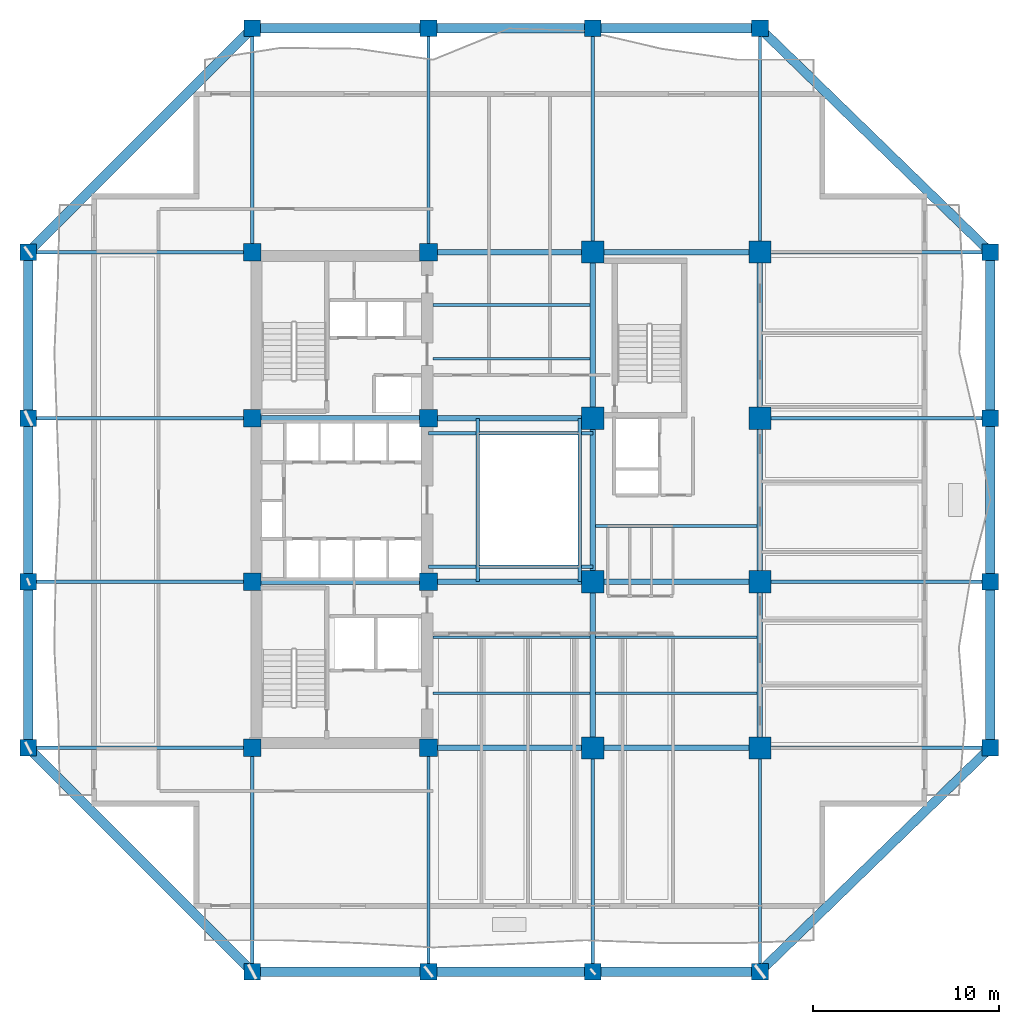
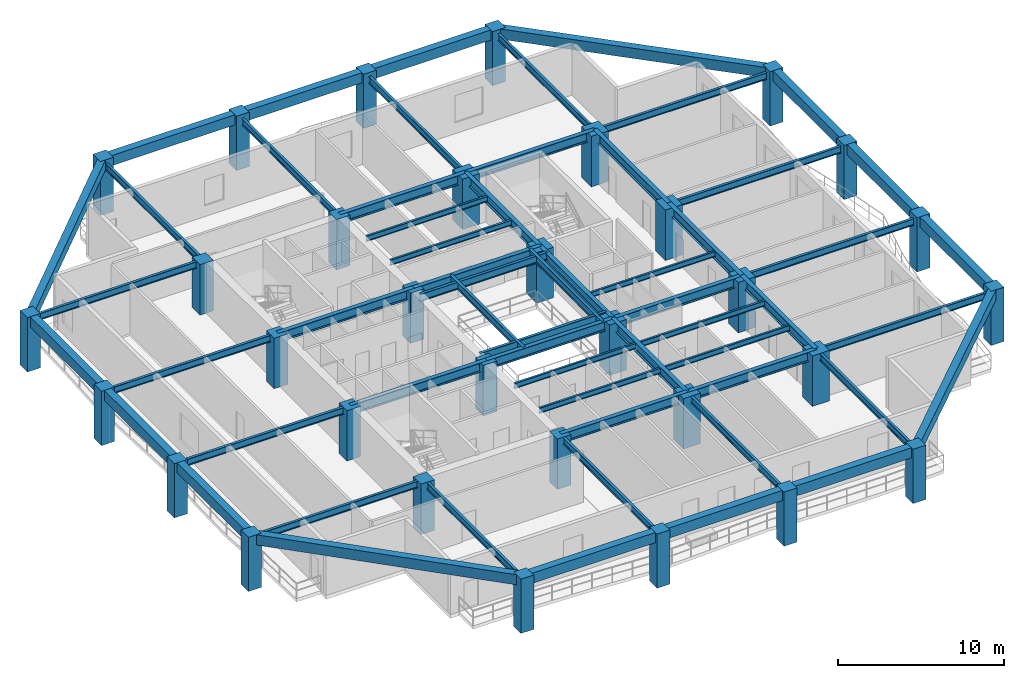
# One storey, part 1 of 13: 58 beams, 32 columns.
"""IFC4 building model written with IfcOpenShell, lengths in metres."""

import ifcopenshell
import ifcopenshell.guid

model = None  # the IFC model being written
_history = None  # IfcOwnerHistory: only IFC2X3 demands one
_inside = {}  # id of a spatial element -> (the spatial element, [elements in it])
_under = {}  # id of a project, library or spatial element -> (it, [spatial elements below it])
_declared = {}  # id of a project -> (the project, [libraries it declares])
_typed = {}  # id of a type object -> (the type object, [elements of that type])
_made_of = {}  # id of a material, layer set ... -> (it, [elements and type objects made of it])


def new_model(schema):
    """Start an empty IFC model of exactly this schema.

    Asked for "IFC4X3", IfcOpenShell would pick the latest addendum, in which some entities
    have other attributes; the version numbers below select the first issue.
    IFC2X3 requires an IfcOwnerHistory on every rooted entity: one is made here for all.
    """
    global model, _history
    if schema == "IFC4X3":
        model = ifcopenshell.file(schema_version=(4, 3, 0, 0))
    else:
        model = ifcopenshell.file(schema=schema)
    _inside.clear()
    _under.clear()
    _declared.clear()
    _typed.clear()
    _made_of.clear()
    _history = None
    if model.schema == "IFC2X3":
        org = make("IfcOrganization", Name="unknown")
        user = make(
            "IfcPersonAndOrganization",
            ThePerson=make("IfcPerson", FamilyName="unknown"),
            TheOrganization=org,
        )
        app = make(
            "IfcApplication",
            ApplicationDeveloper=org,
            Version="unknown",
            ApplicationFullName="unknown",
            ApplicationIdentifier="unknown",
        )
        _history = make(
            "IfcOwnerHistory",
            OwningUser=user,
            OwningApplication=app,
            ChangeAction="ADDED",
            CreationDate=0,
        )
    return model


def make(cls, **values):
    """One entity of the class cls with the attributes given. An attribute that is None is left unset."""
    return model.create_entity(
        cls, **{name: value for name, value in values.items() if value is not None}
    )


def rooted(cls, **values):
    """An entity with a GlobalId (a new one), such as an element, a storey or a relation."""
    return make(cls, GlobalId=ifcopenshell.guid.new(), OwnerHistory=_history, **values)


def si_unit(unit_type, name, prefix=None):
    """IfcSIUnit, for example si_unit("LENGTHUNIT", "METRE", prefix="MILLI")."""
    return make("IfcSIUnit", UnitType=unit_type, Prefix=prefix, Name=name)


def assignment(units):
    """IfcUnitAssignment: the units of a project."""
    return None if units is None else make("IfcUnitAssignment", Units=units)


def point(xyz):
    """IfcCartesianPoint."""
    return None if xyz is None else make("IfcCartesianPoint", Coordinates=xyz)


def direction(xyz):
    """IfcDirection."""
    return None if xyz is None else make("IfcDirection", DirectionRatios=xyz)


def frame(location, z_axis=None, x_axis=None):
    """IfcAxis2Placement3D, a coordinate frame: its origin and axes. An axis left out is left unset."""
    return make(
        "IfcAxis2Placement3D",
        Location=point(location),
        Axis=direction(z_axis),
        RefDirection=direction(x_axis),
    )


def frame_2d(location, x_axis=None):
    """IfcAxis2Placement2D, a coordinate frame in the plane: its origin and x axis."""
    return make(
        "IfcAxis2Placement2D", Location=point(location), RefDirection=direction(x_axis)
    )


def origin():
    """The frame at (0, 0, 0) with its axes left unset."""
    return frame((0.0, 0.0, 0.0))


def origin_2d():
    """The frame at (0, 0) in the plane with its x axis left unset."""
    return frame_2d((0.0, 0.0))


def place(relative_to, where):
    """IfcLocalPlacement: puts the frame where relative to a parent placement (None: the world)."""
    return make(
        "IfcLocalPlacement", PlacementRelTo=relative_to, RelativePlacement=where
    )


def context(
    kind, dimensions, precision=None, world=None, true_north=None, identifier=None
):
    """IfcGeometricRepresentationContext, for example the 3D "Model" context."""
    return make(
        "IfcGeometricRepresentationContext",
        ContextIdentifier=identifier,
        ContextType=kind,
        CoordinateSpaceDimension=dimensions,
        Precision=precision,
        WorldCoordinateSystem=world,
        TrueNorth=true_north,
    )


def subcontext(parent, identifier, kind, view, scale=None):
    """IfcGeometricRepresentationSubContext, for example "Body" below "Model"."""
    return make(
        "IfcGeometricRepresentationSubContext",
        ContextIdentifier=identifier,
        ContextType=kind,
        ParentContext=parent,
        TargetScale=scale,
        TargetView=view,
    )


def project(units=None, contexts=None):
    """IfcProject with its units and contexts."""
    return rooted(
        "IfcProject",
        Name="project",
        RepresentationContexts=contexts,
        UnitsInContext=assignment(units),
    )


def spatial(cls, under=None, at=None, **own):
    """A site, building, storey or space (cls), placed at a placement, below another one or the project."""
    s = rooted(cls, ObjectPlacement=at, **own)
    if under is not None:
        _under.setdefault(under.id(), (under, []))[1].append(s)
    return s


def profile(cls, at=None, kind="AREA", **sizes):
    """A parametric profile (cls). Its sizes go by their IFC names, for example OverallWidth=200.0."""
    return make(cls, ProfileType=kind, Position=at, **sizes)


def rectangle(**sizes):
    """IfcRectangleProfileDef."""
    return profile("IfcRectangleProfileDef", **sizes)


def i_section(**sizes):
    """IfcIShapeProfileDef."""
    return profile("IfcIShapeProfileDef", **sizes)


def extrude(swept, where, along, depth):
    """IfcExtrudedAreaSolid: the profile swept, set in the frame where, extruded along a direction by depth."""
    return make(
        "IfcExtrudedAreaSolid",
        SweptArea=swept,
        Position=where,
        ExtrudedDirection=direction(along),
        Depth=depth,
    )


def shape(context_of_items, identifier, shape_type, items):
    """IfcShapeRepresentation: the items that make up one representation, for example the "Body"."""
    return make(
        "IfcShapeRepresentation",
        ContextOfItems=context_of_items,
        RepresentationIdentifier=identifier,
        RepresentationType=shape_type,
        Items=items,
    )


def material(Name=None, Category=None):
    """IfcMaterial."""
    return make("IfcMaterial", Name=Name, Category=Category)


def material_profile(
    of_material, cross_section, Name=None, Category=None, Priority=None
):
    """IfcMaterialProfile: a cross section and its material."""
    return make(
        "IfcMaterialProfile",
        Name=Name,
        Material=of_material,
        Profile=cross_section,
        Priority=Priority,
        Category=Category,
    )


def profile_set(profiles, Name=None, composite=None):
    """IfcMaterialProfileSet."""
    return make(
        "IfcMaterialProfileSet",
        Name=Name,
        MaterialProfiles=profiles,
        CompositeProfile=composite,
    )


def made_of(thing, what):
    """Note that an element or type object is made of a material, layer set ...; save() writes the relation."""
    if what is not None:
        _made_of.setdefault(what.id(), (what, []))[1].append(thing)
    return thing


def type_object(cls, material=None, **own):
    """A type object (cls), such as IfcWallType, which elements share."""
    return made_of(rooted(cls, **own), material)


def element(
    cls,
    number,
    at=None,
    inside=None,
    cuts=None,
    type_object=None,
    material=None,
    context=None,
    identifier="Body",
    shape_type=None,
    held_by="IfcProductDefinitionShape",
    body=None,
    shapes=None,
    **own,
):
    """One element of the class cls, such as IfcWall. Its Tag is "e" and its number.

    at: its placement. inside: the storey or other place that contains it. cuts: it is an
    opening in that element (IfcRelVoidsElement). A single representation is given by context,
    identifier, shape_type and body (its items); several are given by shapes. held_by: the class
    of the entity that holds the representations. save() writes the other relations.
    """
    e = rooted(cls, Tag="e%d" % number, ObjectPlacement=at, **own)
    if body is not None:
        shapes = [shape(context, identifier, shape_type, body)]
    if shapes is not None:
        e.Representation = make(held_by, Representations=shapes)
    if inside is not None:
        _inside.setdefault(inside.id(), (inside, []))[1].append(e)
    if cuts is not None:
        rooted(
            "IfcRelVoidsElement", RelatingBuildingElement=cuts, RelatedOpeningElement=e
        )
    if type_object is not None:
        _typed.setdefault(type_object.id(), (type_object, []))[1].append(e)
    return made_of(e, material)


def aggregate(whole, parts):
    """IfcRelAggregates: a whole, such as a stair, and the parts it consists of."""
    return rooted("IfcRelAggregates", RelatingObject=whole, RelatedObjects=parts)


def save(model, path):
    """Write the relations noted so far, then the file.

    IfcRelAggregates (storeys below a building ...), IfcRelContainedInSpatialStructure (elements
    in a storey), IfcRelDefinesByType, IfcRelAssociatesMaterial and IfcRelDeclares: one each for
    every whole, place, type object, material and project.
    """
    for whole, parts in _under.values():
        aggregate(whole, parts)
    for where, things in _inside.values():
        rooted(
            "IfcRelContainedInSpatialStructure",
            RelatedElements=things,
            RelatingStructure=where,
        )
    for kind, things in _typed.values():
        rooted("IfcRelDefinesByType", RelatedObjects=things, RelatingType=kind)
    for what, things in _made_of.values():
        rooted("IfcRelAssociatesMaterial", RelatedObjects=things, RelatingMaterial=what)
    for by, libraries in _declared.values():
        rooted("IfcRelDeclares", RelatingContext=by, RelatedDefinitions=libraries)
    model.write(path)


model = new_model("IFC4")

# Units and contexts
model_context = context("Model", 3, precision=1e-05, world=origin(), true_north=direction((0.0, 1.0)))
body_context = subcontext(model_context, "Body", "Model", "MODEL_VIEW")
ifc_project = project(units=[si_unit("LENGTHUNIT", "METRE"), si_unit("AREAUNIT", "SQUARE_METRE"), si_unit("VOLUMEUNIT", "CUBIC_METRE"), si_unit("PLANEANGLEUNIT", "RADIAN"), si_unit("MASSUNIT", "GRAM", prefix="KILO")], contexts=[model_context])

# Site, building, storey
site_placement = place(None, origin())
site = spatial("IfcSite", under=ifc_project, at=site_placement, CompositionType="ELEMENT")
building_placement = place(site_placement, origin())
building = spatial("IfcBuilding", under=site, at=building_placement, Name="Kundavana Baori Tower", CompositionType="ELEMENT")
storey_placement = place(building_placement, frame((0.0, 0.0, 62.0)))
storey = spatial("IfcBuildingStorey", under=building, at=storey_placement, Name="L14", CompositionType="ELEMENT", Elevation=62.0)

# Columns
ifc_material_1 = material(Name="Concrete C60/75", Category="concrete")
ifc_material_profile_1 = material_profile(ifc_material_1, rectangle(XDim=0.89990234375, YDim=0.89990234375, at=origin_2d()), Name="RC PF 900x900")
ifc_profile_set_1 = profile_set([ifc_material_profile_1], Name="Concrete C60/75")
column_type_1 = type_object("IfcColumnType", Name="COL-PF-900", PredefinedType="COLUMN", material=ifc_profile_set_1)
for number, where, z_axis, x_axis, name in (
    (1, (15.449951171875, 3.199951171875, 0.0), (0.0, 0.0, 1.0), (1.0, 0.0, 0.0), "L14 Stone-Clad Perimeter Frame Column PF-S1"),
    (2, (15.449951171875, 54.0, 0.0), (0.0, 0.0, 1.0), (1.0, 0.0, 0.0), "L14 Stone-Clad Perimeter Frame Column PF-N1"),
    (3, (24.949951171875, 3.199951171875, 0.0), (0.0, 0.0, 1.0), (1.0, 0.0, 0.0), "L14 Stone-Clad Perimeter Frame Column PF-S2"),
    (4, (24.949951171875, 54.0, 0.0), (0.0, 0.0, 1.0), (1.0, 0.0, 0.0), "L14 Stone-Clad Perimeter Frame Column PF-N2"),
    (5, (33.800048828125, 3.199951171875, 0.0), (0.0, 0.0, 1.0), (1.0, 0.0, 0.0), "L14 Stone-Clad Perimeter Frame Column PF-S3"),
    (6, (33.800048828125, 54.0, 0.0), (0.0, 0.0, 1.0), (1.0, 0.0, 0.0), "L14 Stone-Clad Perimeter Frame Column PF-N3"),
    (7, (42.800048828125, 3.199951171875, 0.0), (0.0, 0.0, 1.0), (1.0, 0.0, 0.0), "L14 Stone-Clad Perimeter Frame Column PF-S4"),
    (8, (42.800048828125, 54.0, 0.0), (0.0, 0.0, 1.0), (1.0, 0.0, 0.0), "L14 Stone-Clad Perimeter Frame Column PF-N4"),
    (9, (3.39990234375, 15.25, 0.0), (0.0, 0.0, 1.0), (1.0, 0.0, 0.0), "L14 Stone-Clad Perimeter Frame Column PF-W1"),
    (10, (55.199951171875, 15.25, 0.0), (0.0, 0.0, 1.0), (1.0, 0.0, 0.0), "L14 Stone-Clad Perimeter Frame Column PF-E1"),
    (11, (3.39990234375, 24.199951171875, 0.0), (0.0, 0.0, 1.0), (1.0, 0.0, 0.0), "L14 Stone-Clad Perimeter Frame Column PF-W2"),
    (12, (55.199951171875, 24.199951171875, 0.0), (0.0, 0.0, 1.0), (1.0, 0.0, 0.0), "L14 Stone-Clad Perimeter Frame Column PF-E2"),
    (13, (3.39990234375, 33.0, 0.0), (0.0, 0.0, 1.0), (1.0, 0.0, 0.0), "L14 Stone-Clad Perimeter Frame Column PF-W3"),
    (14, (55.199951171875, 33.0, 0.0), (0.0, 0.0, 1.0), (1.0, 0.0, 0.0), "L14 Stone-Clad Perimeter Frame Column PF-E3"),
    (15, (3.39990234375, 41.949951171875, 0.0), (0.0, 0.0, 1.0), (1.0, 0.0, 0.0), "L14 Stone-Clad Perimeter Frame Column PF-W4"),
    (16, (55.199951171875, 41.949951171875, 0.0), (0.0, 0.0, 1.0), (1.0, 0.0, 0.0), "L14 Stone-Clad Perimeter Frame Column PF-E4"),
):
    element("IfcColumn", number, at=place(storey_placement, frame(where, z_axis=z_axis, x_axis=x_axis)), inside=storey, type_object=column_type_1, Name=name, PredefinedType="COLUMN", context=body_context, shape_type="SweptSolid", body=[
        extrude(rectangle(XDim=0.89990234375, YDim=0.89990234375, at=origin_2d()), origin(), (0.0, 0.0, 1.0), 4.0),
    ])
ifc_material_2 = material(Name="Concrete C60/75", Category="concrete")
ifc_material_profile_2 = material_profile(ifc_material_2, rectangle(XDim=1.199951171875, YDim=1.199951171875, at=origin_2d()), Name="RC 1200x1200")
ifc_profile_set_2 = profile_set([ifc_material_profile_2], Name="Concrete C60/75")
column_type_2 = type_object("IfcColumnType", Name="COL-RC-1200", PredefinedType="COLUMN", material=ifc_profile_set_2)
for number, where, z_axis, x_axis, name in (
    (17, (33.800048828125, 15.25, 0.0), (0.0, 0.0, 1.0), (1.0, 0.0, 0.0), "L14 Interior Column IC-5C"),
    (18, (33.800048828125, 24.199951171875, 0.0), (0.0, 0.0, 1.0), (1.0, 0.0, 0.0), "L14 Interior Column IC-5D"),
    (19, (33.800048828125, 33.0, 0.0), (0.0, 0.0, 1.0), (1.0, 0.0, 0.0), "L14 Interior Column IC-5E"),
    (20, (33.800048828125, 41.949951171875, 0.0), (0.0, 0.0, 1.0), (1.0, 0.0, 0.0), "L14 Interior Column IC-5F"),
    (21, (42.800048828125, 15.25, 0.0), (0.0, 0.0, 1.0), (1.0, 0.0, 0.0), "L14 Interior Column IC-6C"),
    (22, (42.800048828125, 24.199951171875, 0.0), (0.0, 0.0, 1.0), (1.0, 0.0, 0.0), "L14 Interior Column IC-6D"),
    (23, (42.800048828125, 33.0, 0.0), (0.0, 0.0, 1.0), (1.0, 0.0, 0.0), "L14 Interior Column IC-6E"),
    (24, (42.800048828125, 41.949951171875, 0.0), (0.0, 0.0, 1.0), (1.0, 0.0, 0.0), "L14 Interior Column IC-6F"),
):
    element("IfcColumn", number, at=place(storey_placement, frame(where, z_axis=z_axis, x_axis=x_axis)), inside=storey, type_object=column_type_2, Name=name, PredefinedType="COLUMN", context=body_context, shape_type="SweptSolid", body=[
        extrude(rectangle(XDim=1.199951171875, YDim=1.199951171875, at=origin_2d()), origin(), (0.0, 0.0, 1.0), 3.719970703125),
    ])
ifc_material_3 = material(Name="Concrete C50/60", Category="concrete")
ifc_material_profile_3 = material_profile(ifc_material_3, rectangle(XDim=0.949951171875, YDim=0.949951171875, at=origin_2d()), Name="RC 950x950")
ifc_profile_set_3 = profile_set([ifc_material_profile_3], Name="Concrete C50/60")
column_type_3 = type_object("IfcColumnType", Name="COL-RC-950", PredefinedType="COLUMN", material=ifc_profile_set_3)
for number, where, z_axis, x_axis, name in (
    (25, (15.449951171875, 15.25, 0.0), (0.0, 0.0, 1.0), (1.0, 0.0, 0.0), "L14 Interior Column IC-3C"),
    (26, (15.449951171875, 24.199951171875, 0.0), (0.0, 0.0, 1.0), (1.0, 0.0, 0.0), "L14 Interior Column IC-3D"),
    (27, (15.449951171875, 33.0, 0.0), (0.0, 0.0, 1.0), (1.0, 0.0, 0.0), "L14 Interior Column IC-3E"),
    (28, (15.449951171875, 41.949951171875, 0.0), (0.0, 0.0, 1.0), (1.0, 0.0, 0.0), "L14 Interior Column IC-3F"),
    (29, (24.949951171875, 15.25, 0.0), (0.0, 0.0, 1.0), (1.0, 0.0, 0.0), "L14 Interior Column IC-4C"),
    (30, (24.949951171875, 24.199951171875, 0.0), (0.0, 0.0, 1.0), (1.0, 0.0, 0.0), "L14 Interior Column IC-4D"),
    (31, (24.949951171875, 33.0, 0.0), (0.0, 0.0, 1.0), (1.0, 0.0, 0.0), "L14 Interior Column IC-4E"),
    (32, (24.949951171875, 41.949951171875, 0.0), (0.0, 0.0, 1.0), (1.0, 0.0, 0.0), "L14 Interior Column IC-4F"),
):
    element("IfcColumn", number, at=place(storey_placement, frame(where, z_axis=z_axis, x_axis=x_axis)), inside=storey, type_object=column_type_3, Name=name, PredefinedType="COLUMN", context=body_context, shape_type="SweptSolid", body=[
        extrude(rectangle(XDim=0.949951171875, YDim=0.949951171875, at=origin_2d()), origin(), (0.0, 0.0, 1.0), 3.719970703125),
    ])

# Beams
ifc_material_4 = material(Name="Structural Steel S355JR", Category="steel")
ifc_material_profile_4 = material_profile(ifc_material_4, i_section(OverallWidth=0.139892578125, OverallDepth=0.39990234375, WebThickness=0.0087890625, FlangeThickness=0.01611328125, FilletRadius=0.013916015625, at=origin_2d()), Name="ISMB 400")
ifc_profile_set_4 = profile_set([ifc_material_profile_4], Name="Structural Steel S355JR")
beam_type_1 = type_object("IfcBeamType", Name="BM-JST-400", PredefinedType="JOIST", material=ifc_profile_set_4)
for number, where, z_axis, x_axis, name in (
    (33, (25.179931640625, 18.199951171875, 3.52001953125), (1.0, 0.0, 0.0), (0.0, 1.0, 0.0), "L14 Central Bay Composite Floor Joist C1"),
    (34, (25.179931640625, 21.199951171875, 3.52001953125), (1.0, 0.0, 0.0), (0.0, 1.0, 0.0), "L14 Central Bay Composite Floor Joist C2"),
    (35, (25.179931640625, 36.199951171875, 3.52001953125), (1.0, 0.0, 0.0), (0.0, 1.0, 0.0), "L14 Central Bay Composite Floor Joist C3"),
    (36, (25.179931640625, 39.10009765625, 3.52001953125), (1.0, 0.0, 0.0), (0.0, 1.0, 0.0), "L14 Central Bay Composite Floor Joist C4"),
):
    element("IfcBeam", number, at=place(storey_placement, frame(where, z_axis=z_axis, x_axis=x_axis)), inside=storey, type_object=beam_type_1, Name=name, PredefinedType="JOIST", context=body_context, shape_type="SweptSolid", body=[
        extrude(i_section(OverallWidth=0.139892578125, OverallDepth=0.39990234375, WebThickness=0.0087890625, FlangeThickness=0.01611328125, FilletRadius=0.013916015625, at=origin_2d()), origin(), (0.0, 0.0, 1.0), 8.469970703125),
    ])
for number, where, z_axis, x_axis, name in (
    (37, (33.949951171875, 18.199951171875, 3.52001953125), (1.0, 0.0, 0.0), (0.0, 1.0, 0.0), "L14 East Bay Composite Floor Joist E1"),
    (38, (33.949951171875, 21.199951171875, 3.52001953125), (1.0, 0.0, 0.0), (0.0, 1.0, 0.0), "L14 East Bay Composite Floor Joist E2"),
    (39, (33.949951171875, 27.199951171875, 3.52001953125), (1.0, 0.0, 0.0), (0.0, 1.0, 0.0), "L14 East Bay Composite Floor Joist E3"),
):
    element("IfcBeam", number, at=place(storey_placement, frame(where, z_axis=z_axis, x_axis=x_axis)), inside=storey, type_object=beam_type_1, Name=name, PredefinedType="JOIST", context=body_context, shape_type="SweptSolid", body=[
        extrude(i_section(OverallWidth=0.139892578125, OverallDepth=0.39990234375, WebThickness=0.0087890625, FlangeThickness=0.01611328125, FilletRadius=0.013916015625, at=origin_2d()), origin(), (0.0, 0.0, 1.0), 8.699951171875),
    ])
ifc_material_5 = material(Name="Concrete C50/60", Category="concrete")
ifc_material_profile_5 = material_profile(ifc_material_5, rectangle(XDim=0.5, YDim=0.75, at=origin_2d()), Name="RC BM 500x750")
ifc_profile_set_5 = profile_set([ifc_material_profile_5], Name="Concrete C50/60")
beam_type_2 = type_object("IfcBeamType", Name="BM-PF-750", PredefinedType="SPANDREL", material=ifc_profile_set_5)
beam_1_placement = place(storey_placement, frame((15.449951171875, 3.199951171875, 3.625), z_axis=(1.0, 0.0, 0.0), x_axis=(0.0, 1.0, 0.0)))
element("IfcBeam", 40, at=beam_1_placement, inside=storey, type_object=beam_type_2, Name="L14 Perimeter Frame Ring Beam S1", PredefinedType="SPANDREL", context=body_context, shape_type="SweptSolid", body=[
    extrude(rectangle(XDim=0.5, YDim=0.75, at=origin_2d()), origin(), (0.0, 0.0, 1.0), 9.5),
])
beam_2_placement = place(storey_placement, frame((24.949951171875, 3.199951171875, 3.625), z_axis=(1.0, 0.0, 0.0), x_axis=(0.0, 1.0, 0.0)))
element("IfcBeam", 41, at=beam_2_placement, inside=storey, type_object=beam_type_2, Name="L14 Perimeter Frame Ring Beam S2", PredefinedType="SPANDREL", context=body_context, shape_type="SweptSolid", body=[
    extrude(rectangle(XDim=0.5, YDim=0.75, at=origin_2d()), origin(), (0.0, 0.0, 1.0), 8.85009765625),
])
beam_3_placement = place(storey_placement, frame((33.800048828125, 3.199951171875, 3.625), z_axis=(1.0, 0.0, 0.0), x_axis=(0.0, 1.0, 0.0)))
element("IfcBeam", 42, at=beam_3_placement, inside=storey, type_object=beam_type_2, Name="L14 Perimeter Frame Ring Beam S3", PredefinedType="SPANDREL", context=body_context, shape_type="SweptSolid", body=[
    extrude(rectangle(XDim=0.5, YDim=0.75, at=origin_2d()), origin(), (0.0, 0.0, 1.0), 9.0),
])
beam_4_placement = place(storey_placement, frame((15.449951171875, 54.0, 3.625), z_axis=(1.0, 0.0, 0.0), x_axis=(0.0, 1.0, 0.0)))
element("IfcBeam", 43, at=beam_4_placement, inside=storey, type_object=beam_type_2, Name="L14 Perimeter Frame Ring Beam N1", PredefinedType="SPANDREL", context=body_context, shape_type="SweptSolid", body=[
    extrude(rectangle(XDim=0.5, YDim=0.75, at=origin_2d()), origin(), (0.0, 0.0, 1.0), 9.5),
])
beam_5_placement = place(storey_placement, frame((24.949951171875, 54.0, 3.625), z_axis=(1.0, 0.0, 0.0), x_axis=(0.0, 1.0, 0.0)))
element("IfcBeam", 44, at=beam_5_placement, inside=storey, type_object=beam_type_2, Name="L14 Perimeter Frame Ring Beam N2", PredefinedType="SPANDREL", context=body_context, shape_type="SweptSolid", body=[
    extrude(rectangle(XDim=0.5, YDim=0.75, at=origin_2d()), origin(), (0.0, 0.0, 1.0), 8.85009765625),
])
beam_6_placement = place(storey_placement, frame((33.800048828125, 54.0, 3.625), z_axis=(1.0, 0.0, 0.0), x_axis=(0.0, 1.0, 0.0)))
element("IfcBeam", 45, at=beam_6_placement, inside=storey, type_object=beam_type_2, Name="L14 Perimeter Frame Ring Beam N3", PredefinedType="SPANDREL", context=body_context, shape_type="SweptSolid", body=[
    extrude(rectangle(XDim=0.5, YDim=0.75, at=origin_2d()), origin(), (0.0, 0.0, 1.0), 9.0),
])
beam_7_placement = place(storey_placement, frame((3.39990234375, 15.25, 3.625), z_axis=(0.0, 1.0, 0.0), x_axis=(-1.0, 0.0, 0.0)))
element("IfcBeam", 46, at=beam_7_placement, inside=storey, type_object=beam_type_2, Name="L14 Perimeter Frame Ring Beam W1", PredefinedType="SPANDREL", context=body_context, shape_type="SweptSolid", body=[
    extrude(rectangle(XDim=0.5, YDim=0.75, at=origin_2d()), origin(), (0.0, 0.0, 1.0), 8.949951171875),
])
beam_8_placement = place(storey_placement, frame((3.39990234375, 24.199951171875, 3.625), z_axis=(0.0, 1.0, 0.0), x_axis=(-1.0, 0.0, 0.0)))
element("IfcBeam", 47, at=beam_8_placement, inside=storey, type_object=beam_type_2, Name="L14 Perimeter Frame Ring Beam W2", PredefinedType="SPANDREL", context=body_context, shape_type="SweptSolid", body=[
    extrude(rectangle(XDim=0.5, YDim=0.75, at=origin_2d()), origin(), (0.0, 0.0, 1.0), 8.800048828125),
])
for number, where, z_axis, x_axis, name in (
    (48, (3.39990234375, 33.0, 3.625), (0.0, 1.0, 0.0), (-1.0, 0.0, 0.0), "L14 Perimeter Frame Ring Beam W3"),
    (49, (55.199951171875, 15.25, 3.625), (0.0, 1.0, 0.0), (-1.0, 0.0, 0.0), "L14 Perimeter Frame Ring Beam E1"),
):
    element("IfcBeam", number, at=place(storey_placement, frame(where, z_axis=z_axis, x_axis=x_axis)), inside=storey, type_object=beam_type_2, Name=name, PredefinedType="SPANDREL", context=body_context, shape_type="SweptSolid", body=[
        extrude(rectangle(XDim=0.5, YDim=0.75, at=origin_2d()), origin(), (0.0, 0.0, 1.0), 8.949951171875),
    ])
beam_9_placement = place(storey_placement, frame((55.199951171875, 24.199951171875, 3.625), z_axis=(0.0, 1.0, 0.0), x_axis=(-1.0, 0.0, 0.0)))
element("IfcBeam", 50, at=beam_9_placement, inside=storey, type_object=beam_type_2, Name="L14 Perimeter Frame Ring Beam E2", PredefinedType="SPANDREL", context=body_context, shape_type="SweptSolid", body=[
    extrude(rectangle(XDim=0.5, YDim=0.75, at=origin_2d()), origin(), (0.0, 0.0, 1.0), 8.800048828125),
])
beam_10_placement = place(storey_placement, frame((55.199951171875, 33.0, 3.625), z_axis=(0.0, 1.0, 0.0), x_axis=(-1.0, 0.0, 0.0)))
element("IfcBeam", 51, at=beam_10_placement, inside=storey, type_object=beam_type_2, Name="L14 Perimeter Frame Ring Beam E3", PredefinedType="SPANDREL", context=body_context, shape_type="SweptSolid", body=[
    extrude(rectangle(XDim=0.5, YDim=0.75, at=origin_2d()), origin(), (0.0, 0.0, 1.0), 8.949951171875),
])
beam_11_placement = place(storey_placement, frame((15.449951171875, 3.199951171875, 3.625), z_axis=(-0.707106781187, 0.707106781187, 0.0), x_axis=(-0.707106781187, -0.707106781187, 0.0)))
element("IfcBeam", 52, at=beam_11_placement, inside=storey, type_object=beam_type_2, Name="L14 Notched Corner Perimeter Beam SW", PredefinedType="SPANDREL", context=body_context, shape_type="SweptSolid", body=[
    extrude(rectangle(XDim=0.5, YDim=0.75, at=origin_2d()), origin(), (0.0, 0.0, 1.0), 17.041259765625),
])
beam_12_placement = place(storey_placement, frame((42.800048828125, 3.199951171875, 3.625), z_axis=(0.717151334594, 0.696917472367, 0.0), x_axis=(-0.696917472367, 0.717151334594, 0.0)))
element("IfcBeam", 53, at=beam_12_placement, inside=storey, type_object=beam_type_2, Name="L14 Notched Corner Perimeter Beam SE", PredefinedType="SPANDREL", context=body_context, shape_type="SweptSolid", body=[
    extrude(rectangle(XDim=0.5, YDim=0.75, at=origin_2d()), origin(), (0.0, 0.0, 1.0), 17.29052734375),
])
beam_13_placement = place(storey_placement, frame((15.449951171875, 54.0, 3.625), z_axis=(-0.707106781187, -0.707106781187, 0.0), x_axis=(0.707106781187, -0.707106781187, 0.0)))
element("IfcBeam", 54, at=beam_13_placement, inside=storey, type_object=beam_type_2, Name="L14 Notched Corner Perimeter Beam NW", PredefinedType="SPANDREL", context=body_context, shape_type="SweptSolid", body=[
    extrude(rectangle(XDim=0.5, YDim=0.75, at=origin_2d()), origin(), (0.0, 0.0, 1.0), 17.041259765625),
])
beam_14_placement = place(storey_placement, frame((42.800048828125, 54.0, 3.625), z_axis=(0.717151334594, -0.696917472367, 0.0), x_axis=(0.696917472367, 0.717151334594, 0.0)))
element("IfcBeam", 55, at=beam_14_placement, inside=storey, type_object=beam_type_2, Name="L14 Notched Corner Perimeter Beam NE", PredefinedType="SPANDREL", context=body_context, shape_type="SweptSolid", body=[
    extrude(rectangle(XDim=0.5, YDim=0.75, at=origin_2d()), origin(), (0.0, 0.0, 1.0), 17.29052734375),
])
ifc_material_6 = material(Name="Structural Steel S355JR", Category="steel")
ifc_material_profile_6 = material_profile(ifc_material_6, i_section(OverallWidth=0.18994140625, OverallDepth=0.550048828125, WebThickness=0.01123046875, FlangeThickness=0.019287109375, FilletRadius=0.01806640625, at=origin_2d()), Name="ISMB 550")
ifc_profile_set_6 = profile_set([ifc_material_profile_6], Name="Structural Steel S355JR")
beam_type_3 = type_object("IfcBeamType", Name="BM-ST-550", PredefinedType="BEAM", material=ifc_profile_set_6)
for number, where, z_axis, x_axis, name in (
    (56, (27.60009765625, 24.199951171875, 3.445068359375), (0.0, 1.0, 0.0), (-1.0, 0.0, 0.0), "L14 Atrium West Edge Beam"),
    (57, (33.10009765625, 24.199951171875, 3.445068359375), (0.0, 1.0, 0.0), (-1.0, 0.0, 0.0), "L14 Atrium East Edge Beam"),
):
    element("IfcBeam", number, at=place(storey_placement, frame(where, z_axis=z_axis, x_axis=x_axis)), inside=storey, type_object=beam_type_3, Name=name, PredefinedType="BEAM", context=body_context, shape_type="SweptSolid", body=[
        extrude(i_section(OverallWidth=0.18994140625, OverallDepth=0.550048828125, WebThickness=0.01123046875, FlangeThickness=0.019287109375, FilletRadius=0.01806640625, at=origin_2d()), origin(), (0.0, 0.0, 1.0), 8.800048828125),
    ])
for number, where, z_axis, x_axis, name in (
    (58, (24.949951171875, 25.0, 3.445068359375), (1.0, 0.0, 0.0), (0.0, 1.0, 0.0), "L14 Atrium South Edge Beam"),
    (59, (24.949951171875, 32.199951171875, 3.445068359375), (1.0, 0.0, 0.0), (0.0, 1.0, 0.0), "L14 Atrium North Edge Beam"),
):
    element("IfcBeam", number, at=place(storey_placement, frame(where, z_axis=z_axis, x_axis=x_axis)), inside=storey, type_object=beam_type_3, Name=name, PredefinedType="BEAM", context=body_context, shape_type="SweptSolid", body=[
        extrude(i_section(OverallWidth=0.18994140625, OverallDepth=0.550048828125, WebThickness=0.01123046875, FlangeThickness=0.019287109375, FilletRadius=0.01806640625, at=origin_2d()), origin(), (0.0, 0.0, 1.0), 8.85009765625),
    ])
ifc_material_7 = material(Name="Structural Steel S355JR", Category="steel")
ifc_material_profile_7 = material_profile(ifc_material_7, i_section(OverallWidth=0.300048828125, OverallDepth=0.699951171875, WebThickness=0.014404296875, FlangeThickness=0.02392578125, FilletRadius=0.02392578125, at=origin_2d()), Name="NPB 700x300x170")
ifc_profile_set_7 = profile_set([ifc_material_profile_7], Name="Structural Steel S355JR")
beam_type_4 = type_object("IfcBeamType", Name="BM-ST-700", PredefinedType="BEAM", material=ifc_profile_set_7)
beam_15_placement = place(storey_placement, frame((24.949951171875, 15.25, 3.3701171875), z_axis=(1.0, 0.0, 0.0), x_axis=(0.0, 1.0, 0.0)))
element("IfcBeam", 60, at=beam_15_placement, inside=storey, type_object=beam_type_4, Name="L14 Primary Grid Girder GX-1-2", PredefinedType="BEAM", context=body_context, shape_type="SweptSolid", body=[
    extrude(i_section(OverallWidth=0.300048828125, OverallDepth=0.699951171875, WebThickness=0.014404296875, FlangeThickness=0.02392578125, FilletRadius=0.02392578125, at=origin_2d()), origin(), (0.0, 0.0, 1.0), 8.85009765625),
])
beam_16_placement = place(storey_placement, frame((33.800048828125, 15.25, 3.3701171875), z_axis=(1.0, 0.0, 0.0), x_axis=(0.0, 1.0, 0.0)))
element("IfcBeam", 61, at=beam_16_placement, inside=storey, type_object=beam_type_4, Name="L14 Primary Grid Girder GX-1-3", PredefinedType="BEAM", context=body_context, shape_type="SweptSolid", body=[
    extrude(i_section(OverallWidth=0.300048828125, OverallDepth=0.699951171875, WebThickness=0.014404296875, FlangeThickness=0.02392578125, FilletRadius=0.02392578125, at=origin_2d()), origin(), (0.0, 0.0, 1.0), 9.0),
])
beam_17_placement = place(storey_placement, frame((15.449951171875, 24.199951171875, 3.3701171875), z_axis=(1.0, 0.0, 0.0), x_axis=(0.0, 1.0, 0.0)))
element("IfcBeam", 62, at=beam_17_placement, inside=storey, type_object=beam_type_4, Name="L14 Primary Grid Girder GX-2-1", PredefinedType="BEAM", context=body_context, shape_type="SweptSolid", body=[
    extrude(i_section(OverallWidth=0.300048828125, OverallDepth=0.699951171875, WebThickness=0.014404296875, FlangeThickness=0.02392578125, FilletRadius=0.02392578125, at=origin_2d()), origin(), (0.0, 0.0, 1.0), 9.5),
])
beam_18_placement = place(storey_placement, frame((24.949951171875, 24.199951171875, 3.3701171875), z_axis=(1.0, 0.0, 0.0), x_axis=(0.0, 1.0, 0.0)))
element("IfcBeam", 63, at=beam_18_placement, inside=storey, type_object=beam_type_4, Name="L14 Primary Grid Girder GX-2-2", PredefinedType="BEAM", context=body_context, shape_type="SweptSolid", body=[
    extrude(i_section(OverallWidth=0.300048828125, OverallDepth=0.699951171875, WebThickness=0.014404296875, FlangeThickness=0.02392578125, FilletRadius=0.02392578125, at=origin_2d()), origin(), (0.0, 0.0, 1.0), 8.85009765625),
])
beam_19_placement = place(storey_placement, frame((33.800048828125, 24.199951171875, 3.3701171875), z_axis=(1.0, 0.0, 0.0), x_axis=(0.0, 1.0, 0.0)))
element("IfcBeam", 64, at=beam_19_placement, inside=storey, type_object=beam_type_4, Name="L14 Primary Grid Girder GX-2-3", PredefinedType="BEAM", context=body_context, shape_type="SweptSolid", body=[
    extrude(i_section(OverallWidth=0.300048828125, OverallDepth=0.699951171875, WebThickness=0.014404296875, FlangeThickness=0.02392578125, FilletRadius=0.02392578125, at=origin_2d()), origin(), (0.0, 0.0, 1.0), 9.0),
])
beam_20_placement = place(storey_placement, frame((15.449951171875, 33.0, 3.3701171875), z_axis=(1.0, 0.0, 0.0), x_axis=(0.0, 1.0, 0.0)))
element("IfcBeam", 65, at=beam_20_placement, inside=storey, type_object=beam_type_4, Name="L14 Primary Grid Girder GX-3-1", PredefinedType="BEAM", context=body_context, shape_type="SweptSolid", body=[
    extrude(i_section(OverallWidth=0.300048828125, OverallDepth=0.699951171875, WebThickness=0.014404296875, FlangeThickness=0.02392578125, FilletRadius=0.02392578125, at=origin_2d()), origin(), (0.0, 0.0, 1.0), 9.5),
])
for number, where, z_axis, x_axis, name in (
    (66, (24.949951171875, 33.0, 3.3701171875), (1.0, 0.0, 0.0), (0.0, 1.0, 0.0), "L14 Primary Grid Girder GX-3-2"),
    (67, (24.949951171875, 41.949951171875, 3.3701171875), (1.0, 0.0, 0.0), (0.0, 1.0, 0.0), "L14 Primary Grid Girder GX-4-2"),
):
    element("IfcBeam", number, at=place(storey_placement, frame(where, z_axis=z_axis, x_axis=x_axis)), inside=storey, type_object=beam_type_4, Name=name, PredefinedType="BEAM", context=body_context, shape_type="SweptSolid", body=[
        extrude(i_section(OverallWidth=0.300048828125, OverallDepth=0.699951171875, WebThickness=0.014404296875, FlangeThickness=0.02392578125, FilletRadius=0.02392578125, at=origin_2d()), origin(), (0.0, 0.0, 1.0), 8.85009765625),
    ])
beam_21_placement = place(storey_placement, frame((33.800048828125, 41.949951171875, 3.3701171875), z_axis=(1.0, 0.0, 0.0), x_axis=(0.0, 1.0, 0.0)))
element("IfcBeam", 68, at=beam_21_placement, inside=storey, type_object=beam_type_4, Name="L14 Primary Grid Girder GX-4-3", PredefinedType="BEAM", context=body_context, shape_type="SweptSolid", body=[
    extrude(i_section(OverallWidth=0.300048828125, OverallDepth=0.699951171875, WebThickness=0.014404296875, FlangeThickness=0.02392578125, FilletRadius=0.02392578125, at=origin_2d()), origin(), (0.0, 0.0, 1.0), 9.0),
])
beam_22_placement = place(storey_placement, frame((33.800048828125, 15.25, 3.3701171875), z_axis=(0.0, 1.0, 0.0), x_axis=(-1.0, 0.0, 0.0)))
element("IfcBeam", 69, at=beam_22_placement, inside=storey, type_object=beam_type_4, Name="L14 Primary Grid Girder GY-3-1", PredefinedType="BEAM", context=body_context, shape_type="SweptSolid", body=[
    extrude(i_section(OverallWidth=0.300048828125, OverallDepth=0.699951171875, WebThickness=0.014404296875, FlangeThickness=0.02392578125, FilletRadius=0.02392578125, at=origin_2d()), origin(), (0.0, 0.0, 1.0), 8.949951171875),
])
beam_23_placement = place(storey_placement, frame((33.800048828125, 24.199951171875, 3.3701171875), z_axis=(0.0, 1.0, 0.0), x_axis=(-1.0, 0.0, 0.0)))
element("IfcBeam", 70, at=beam_23_placement, inside=storey, type_object=beam_type_4, Name="L14 Primary Grid Girder GY-3-2", PredefinedType="BEAM", context=body_context, shape_type="SweptSolid", body=[
    extrude(i_section(OverallWidth=0.300048828125, OverallDepth=0.699951171875, WebThickness=0.014404296875, FlangeThickness=0.02392578125, FilletRadius=0.02392578125, at=origin_2d()), origin(), (0.0, 0.0, 1.0), 8.800048828125),
])
for number, where, z_axis, x_axis, name in (
    (71, (33.800048828125, 33.0, 3.3701171875), (0.0, 1.0, 0.0), (-1.0, 0.0, 0.0), "L14 Primary Grid Girder GY-3-3"),
    (72, (42.800048828125, 15.25, 3.3701171875), (0.0, 1.0, 0.0), (-1.0, 0.0, 0.0), "L14 Primary Grid Girder GY-4-1"),
):
    element("IfcBeam", number, at=place(storey_placement, frame(where, z_axis=z_axis, x_axis=x_axis)), inside=storey, type_object=beam_type_4, Name=name, PredefinedType="BEAM", context=body_context, shape_type="SweptSolid", body=[
        extrude(i_section(OverallWidth=0.300048828125, OverallDepth=0.699951171875, WebThickness=0.014404296875, FlangeThickness=0.02392578125, FilletRadius=0.02392578125, at=origin_2d()), origin(), (0.0, 0.0, 1.0), 8.949951171875),
    ])
beam_24_placement = place(storey_placement, frame((42.800048828125, 24.199951171875, 3.3701171875), z_axis=(0.0, 1.0, 0.0), x_axis=(-1.0, 0.0, 0.0)))
element("IfcBeam", 73, at=beam_24_placement, inside=storey, type_object=beam_type_4, Name="L14 Primary Grid Girder GY-4-2", PredefinedType="BEAM", context=body_context, shape_type="SweptSolid", body=[
    extrude(i_section(OverallWidth=0.300048828125, OverallDepth=0.699951171875, WebThickness=0.014404296875, FlangeThickness=0.02392578125, FilletRadius=0.02392578125, at=origin_2d()), origin(), (0.0, 0.0, 1.0), 8.800048828125),
])
beam_25_placement = place(storey_placement, frame((42.800048828125, 33.0, 3.3701171875), z_axis=(0.0, 1.0, 0.0), x_axis=(-1.0, 0.0, 0.0)))
element("IfcBeam", 74, at=beam_25_placement, inside=storey, type_object=beam_type_4, Name="L14 Primary Grid Girder GY-4-3", PredefinedType="BEAM", context=body_context, shape_type="SweptSolid", body=[
    extrude(i_section(OverallWidth=0.300048828125, OverallDepth=0.699951171875, WebThickness=0.014404296875, FlangeThickness=0.02392578125, FilletRadius=0.02392578125, at=origin_2d()), origin(), (0.0, 0.0, 1.0), 8.949951171875),
])
ifc_material_8 = material(Name="Structural Steel S355JR", Category="steel")
ifc_material_profile_8 = material_profile(ifc_material_8, i_section(OverallWidth=0.179931640625, OverallDepth=0.5, WebThickness=0.01025390625, FlangeThickness=0.01708984375, FilletRadius=0.01708984375, at=origin_2d()), Name="ISMB 500")
ifc_profile_set_8 = profile_set([ifc_material_profile_8], Name="Structural Steel S355JR")
beam_type_5 = type_object("IfcBeamType", Name="BM-TIE-500", PredefinedType="BEAM", material=ifc_profile_set_8)
for number, where, z_axis, x_axis, name in (
    (75, (15.449951171875, 15.25, 3.469970703125), (0.0, -1.0, 0.0), (1.0, 0.0, 0.0), "L14 South Radial Loggia Tie Beam S1"),
    (76, (15.449951171875, 41.949951171875, 3.469970703125), (0.0, 1.0, 0.0), (-1.0, 0.0, 0.0), "L14 North Radial Loggia Tie Beam N1"),
    (77, (24.949951171875, 15.25, 3.469970703125), (0.0, -1.0, 0.0), (1.0, 0.0, 0.0), "L14 South Radial Loggia Tie Beam S2"),
    (78, (24.949951171875, 41.949951171875, 3.469970703125), (0.0, 1.0, 0.0), (-1.0, 0.0, 0.0), "L14 North Radial Loggia Tie Beam N2"),
    (79, (33.800048828125, 15.25, 3.469970703125), (0.0, -1.0, 0.0), (1.0, 0.0, 0.0), "L14 South Radial Loggia Tie Beam S3"),
    (80, (33.800048828125, 41.949951171875, 3.469970703125), (0.0, 1.0, 0.0), (-1.0, 0.0, 0.0), "L14 North Radial Loggia Tie Beam N3"),
    (81, (42.800048828125, 15.25, 3.469970703125), (0.0, -1.0, 0.0), (1.0, 0.0, 0.0), "L14 South Radial Loggia Tie Beam S4"),
    (82, (42.800048828125, 41.949951171875, 3.469970703125), (0.0, 1.0, 0.0), (-1.0, 0.0, 0.0), "L14 North Radial Loggia Tie Beam N4"),
    (83, (15.449951171875, 15.25, 3.469970703125), (-1.0, 0.0, 0.0), (0.0, -1.0, 0.0), "L14 West Radial Loggia Tie Beam W1"),
):
    element("IfcBeam", number, at=place(storey_placement, frame(where, z_axis=z_axis, x_axis=x_axis)), inside=storey, type_object=beam_type_5, Name=name, PredefinedType="BEAM", context=body_context, shape_type="SweptSolid", body=[
        extrude(i_section(OverallWidth=0.179931640625, OverallDepth=0.5, WebThickness=0.01025390625, FlangeThickness=0.01708984375, FilletRadius=0.01708984375, at=origin_2d()), origin(), (0.0, 0.0, 1.0), 12.050048828125),
    ])
beam_26_placement = place(storey_placement, frame((42.800048828125, 15.25, 3.469970703125), z_axis=(1.0, 0.0, 0.0), x_axis=(0.0, 1.0, 0.0)))
element("IfcBeam", 84, at=beam_26_placement, inside=storey, type_object=beam_type_5, Name="L14 East Radial Loggia Tie Beam E1", PredefinedType="BEAM", context=body_context, shape_type="SweptSolid", body=[
    extrude(i_section(OverallWidth=0.179931640625, OverallDepth=0.5, WebThickness=0.01025390625, FlangeThickness=0.01708984375, FilletRadius=0.01708984375, at=origin_2d()), origin(), (0.0, 0.0, 1.0), 12.39990234375),
])
beam_27_placement = place(storey_placement, frame((15.449951171875, 24.199951171875, 3.469970703125), z_axis=(-1.0, 0.0, 0.0), x_axis=(0.0, -1.0, 0.0)))
element("IfcBeam", 85, at=beam_27_placement, inside=storey, type_object=beam_type_5, Name="L14 West Radial Loggia Tie Beam W2", PredefinedType="BEAM", context=body_context, shape_type="SweptSolid", body=[
    extrude(i_section(OverallWidth=0.179931640625, OverallDepth=0.5, WebThickness=0.01025390625, FlangeThickness=0.01708984375, FilletRadius=0.01708984375, at=origin_2d()), origin(), (0.0, 0.0, 1.0), 12.050048828125),
])
beam_28_placement = place(storey_placement, frame((42.800048828125, 24.199951171875, 3.469970703125), z_axis=(1.0, 0.0, 0.0), x_axis=(0.0, 1.0, 0.0)))
element("IfcBeam", 86, at=beam_28_placement, inside=storey, type_object=beam_type_5, Name="L14 East Radial Loggia Tie Beam E2", PredefinedType="BEAM", context=body_context, shape_type="SweptSolid", body=[
    extrude(i_section(OverallWidth=0.179931640625, OverallDepth=0.5, WebThickness=0.01025390625, FlangeThickness=0.01708984375, FilletRadius=0.01708984375, at=origin_2d()), origin(), (0.0, 0.0, 1.0), 12.39990234375),
])
beam_29_placement = place(storey_placement, frame((15.449951171875, 33.0, 3.469970703125), z_axis=(-1.0, 0.0, 0.0), x_axis=(0.0, -1.0, 0.0)))
element("IfcBeam", 87, at=beam_29_placement, inside=storey, type_object=beam_type_5, Name="L14 West Radial Loggia Tie Beam W3", PredefinedType="BEAM", context=body_context, shape_type="SweptSolid", body=[
    extrude(i_section(OverallWidth=0.179931640625, OverallDepth=0.5, WebThickness=0.01025390625, FlangeThickness=0.01708984375, FilletRadius=0.01708984375, at=origin_2d()), origin(), (0.0, 0.0, 1.0), 12.050048828125),
])
beam_30_placement = place(storey_placement, frame((42.800048828125, 33.0, 3.469970703125), z_axis=(1.0, 0.0, 0.0), x_axis=(0.0, 1.0, 0.0)))
element("IfcBeam", 88, at=beam_30_placement, inside=storey, type_object=beam_type_5, Name="L14 East Radial Loggia Tie Beam E3", PredefinedType="BEAM", context=body_context, shape_type="SweptSolid", body=[
    extrude(i_section(OverallWidth=0.179931640625, OverallDepth=0.5, WebThickness=0.01025390625, FlangeThickness=0.01708984375, FilletRadius=0.01708984375, at=origin_2d()), origin(), (0.0, 0.0, 1.0), 12.39990234375),
])
beam_31_placement = place(storey_placement, frame((15.449951171875, 41.949951171875, 3.469970703125), z_axis=(-1.0, 0.0, 0.0), x_axis=(0.0, -1.0, 0.0)))
element("IfcBeam", 89, at=beam_31_placement, inside=storey, type_object=beam_type_5, Name="L14 West Radial Loggia Tie Beam W4", PredefinedType="BEAM", context=body_context, shape_type="SweptSolid", body=[
    extrude(i_section(OverallWidth=0.179931640625, OverallDepth=0.5, WebThickness=0.01025390625, FlangeThickness=0.01708984375, FilletRadius=0.01708984375, at=origin_2d()), origin(), (0.0, 0.0, 1.0), 12.050048828125),
])
beam_32_placement = place(storey_placement, frame((42.800048828125, 41.949951171875, 3.469970703125), z_axis=(1.0, 0.0, 0.0), x_axis=(0.0, 1.0, 0.0)))
element("IfcBeam", 90, at=beam_32_placement, inside=storey, type_object=beam_type_5, Name="L14 East Radial Loggia Tie Beam E4", PredefinedType="BEAM", context=body_context, shape_type="SweptSolid", body=[
    extrude(i_section(OverallWidth=0.179931640625, OverallDepth=0.5, WebThickness=0.01025390625, FlangeThickness=0.01708984375, FilletRadius=0.01708984375, at=origin_2d()), origin(), (0.0, 0.0, 1.0), 12.39990234375),
])

save(model, "model.ifc")
